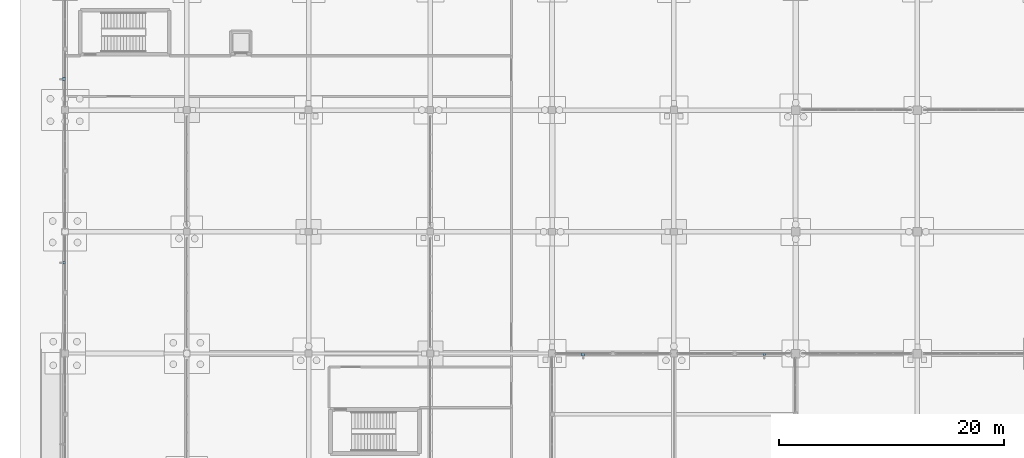
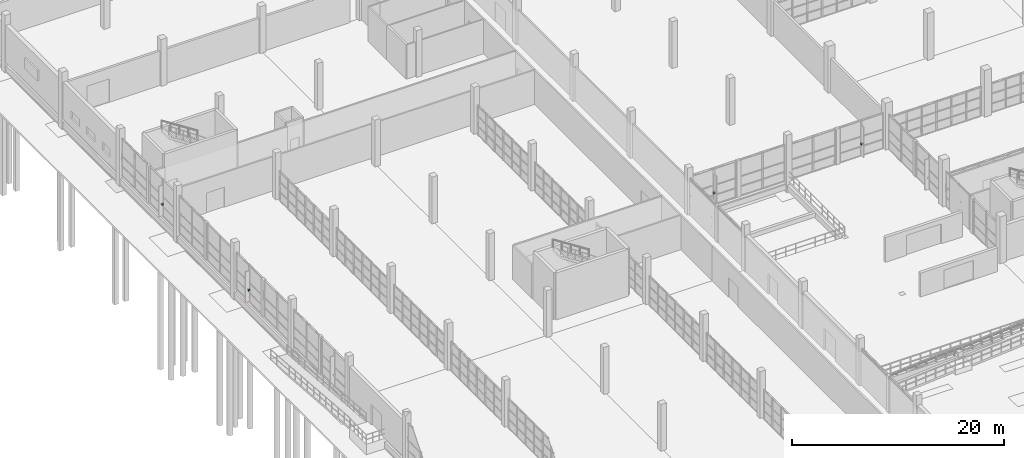
# One storey, part 121 of 138: 4 discrete accessories.
"""IFC4 building model written with IfcOpenShell, lengths in metres."""

from ifc_helpers import new_model, si_unit, direction, frame, origin, origin_2d, place, context, subcontext, project, spatial, rectangle, extrude, material, type_object, element, save


model = new_model("IFC4")

# Units and contexts
model_context = context("Model", 3, precision=1e-05, world=origin(), true_north=direction((0.0, 1.0)))
body_context = subcontext(model_context, "Body", "Model", "MODEL_VIEW")
ifc_project = project(units=[si_unit("LENGTHUNIT", "METRE"), si_unit("AREAUNIT", "SQUARE_METRE"), si_unit("VOLUMEUNIT", "CUBIC_METRE"), si_unit("PLANEANGLEUNIT", "RADIAN"), si_unit("MASSUNIT", "GRAM", prefix="KILO")], contexts=[model_context])

# Site, building, storey
site_placement = place(None, origin())
site = spatial("IfcSite", under=ifc_project, at=site_placement, CompositionType="ELEMENT")
building_placement = place(site_placement, origin())
building = spatial("IfcBuilding", under=site, at=building_placement, Name="Zwinboog Wholesale Market", CompositionType="ELEMENT")
storey_placement = place(building_placement, origin())
storey = spatial("IfcBuildingStorey", under=building, at=storey_placement, Name="L00", CompositionType="ELEMENT", Elevation=0.0)

# Discrete accessories
ifc_material = material(Name="Steel S355", Category="steel")
discrete_accessory_type = type_object("IfcDiscreteAccessoryType", Name="ACC-BRK-S355", PredefinedType="BRACKET", material=ifc_material)
for number, where, z_axis, x_axis, name in (
    (1, (-0.074951171875, 72.8525390625, 1.31005859375), (0.0, 0.0, 1.0), (1.0, 0.0, 0.0), "BK-01 (ACC-FBRK-004)"),
    (2, (-0.090087890625, 89.1474609375, 1.31005859375), (0.0, 0.0, 1.0), (1.0, 0.0, 0.0), "BK-01 (ACC-FBRK-005)"),
    (3, (45.947509765625, 64.7099609375, 1.31005859375), (0.0, 0.0, 1.0), (1.0, 0.0, 0.0), "BK-01 (ACC-FBRK-009)"),
    (4, (62.014892578125, 64.72509765625, 1.31005859375), (0.0, 0.0, 1.0), (1.0, 0.0, 0.0), "BK-01 (ACC-FBRK-010)"),
):
    element("IfcDiscreteAccessory", number, at=place(storey_placement, frame(where, z_axis=z_axis, x_axis=x_axis)), inside=storey, type_object=discrete_accessory_type, Name=name, PredefinedType="BRACKET", context=body_context, shape_type="SweptSolid", body=[
        extrude(rectangle(XDim=0.239990234375, YDim=0.239990234375, at=origin_2d()), origin(), (0.0, 0.0, 1.0), 0.179931640625),
    ])

save(model, "model.ifc")
